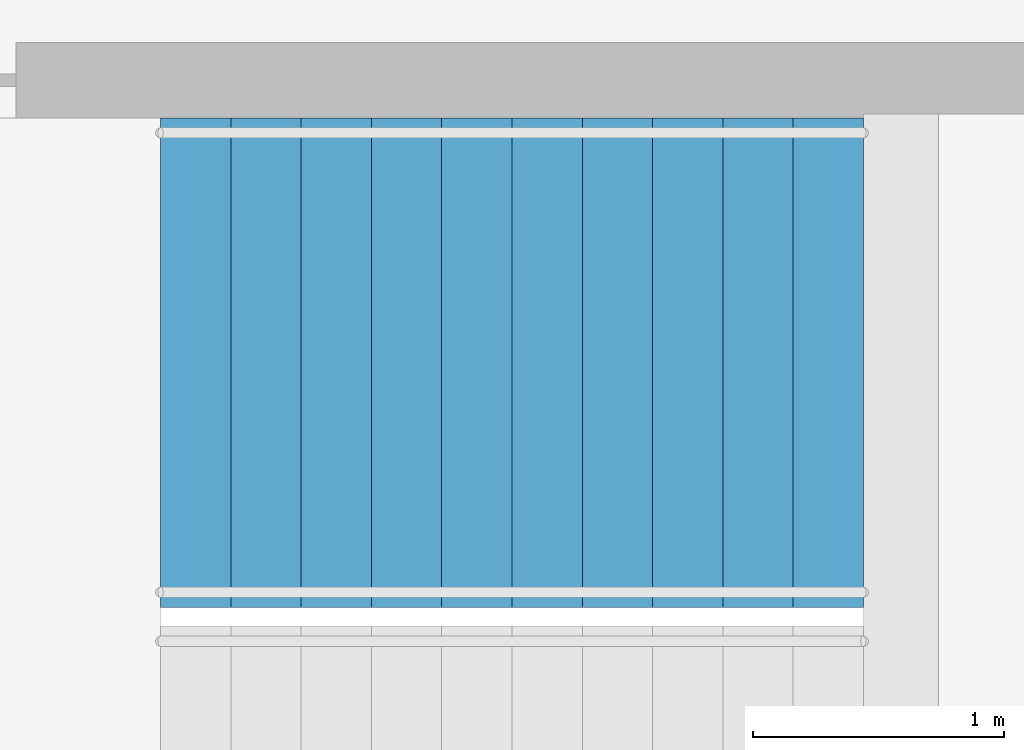
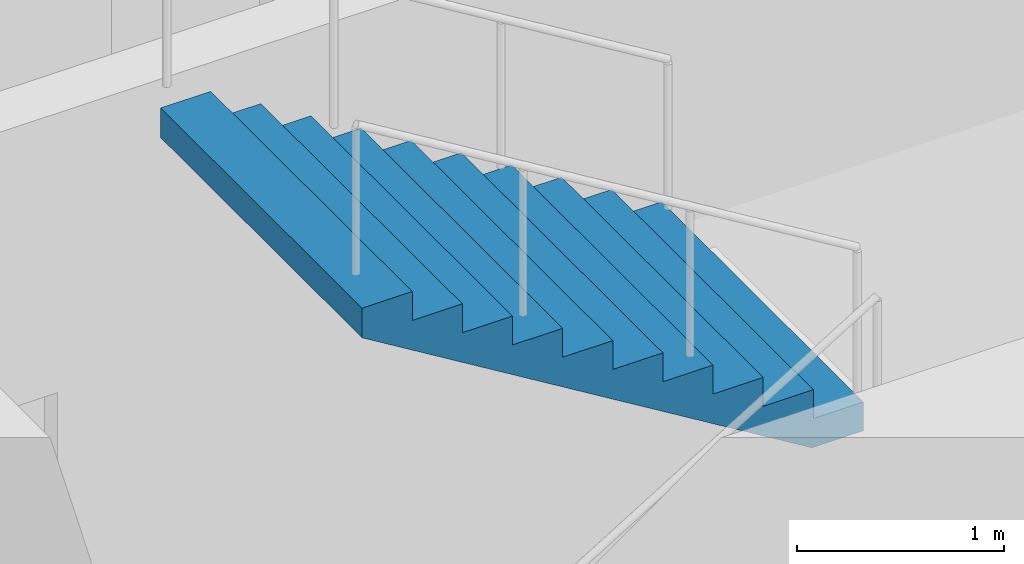
# One storey, part 18 of 21: 1 stair flight, 1 element without a shape of its own.
"""IFC4 building model written with IfcOpenShell, lengths in metres."""

from ifc_helpers import new_model, si_unit, direction, frame, origin, place, context, subcontext, project, spatial, triangles, material, type_object, element, aggregate, save


model = new_model("IFC4")

# Units and contexts
model_context = context("Model", 3, precision=1e-05, world=origin(), true_north=direction((0.0, 1.0)))
body_context = subcontext(model_context, "Body", "Model", "MODEL_VIEW")
ifc_project = project(units=[si_unit("LENGTHUNIT", "METRE"), si_unit("AREAUNIT", "SQUARE_METRE"), si_unit("VOLUMEUNIT", "CUBIC_METRE"), si_unit("PLANEANGLEUNIT", "RADIAN"), si_unit("MASSUNIT", "GRAM", prefix="KILO")], contexts=[model_context])

# Site, building, storey
site_placement = place(None, origin())
site = spatial("IfcSite", under=ifc_project, at=site_placement, CompositionType="ELEMENT")
building_placement = place(site_placement, origin())
building = spatial("IfcBuilding", under=site, at=building_placement, Name="Orbita Commons", CompositionType="ELEMENT")
storey_placement = place(building_placement, frame((0.0, 0.0, 95.64990234375)))
storey = spatial("IfcBuildingStorey", under=building, at=storey_placement, Name="L23", CompositionType="ELEMENT", Elevation=95.64990234375)

# Stair, stair flight
ifc_material_1 = material(Name="Precast concrete C40/50", Category="concrete")
stair_type = type_object("IfcStairType", Name="Exit stair S1 2 flights 11 risers 170", PredefinedType="HALF_TURN_STAIR", material=ifc_material_1)
stair_placement = place(storey_placement, origin())
stair = element("IfcStair", 1, at=stair_placement, inside=storey, type_object=stair_type, Name="Exit stair S1 L23", PredefinedType="HALF_TURN_STAIR")
ifc_material_2 = material(Name="Precast concrete C40/50", Category="concrete")
stair_flight_type = type_object("IfcStairFlightType", Name="Stair flight 11 risers 170 x 280", PredefinedType="STRAIGHT", material=ifc_material_2)
stair_flight_placement = place(storey_placement, frame((23.25, 29.27490234375, 1.875), z_axis=(0.0, 0.0, 1.0), x_axis=(-1.0, 0.0, 0.0)))
stair_flight = element("IfcStairFlight", 2, at=stair_flight_placement, type_object=stair_flight_type, Name="S1 flight 2", NumberOfRisers=11, NumberOfTreads=10, PredefinedType="STRAIGHT", RiserHeight=0.170454545, TreadLength=0.28, context=body_context, shape_type="Tessellation", body=[
    triangles([(0.0, 0.974976, 0.0), (0.0, 0.974976, 0.021307), (0.0, 0.81248, 0.021307), (0.0, 0.81248, 0.0), (0.0, 0.649984, 0.021307), (0.0, 0.649984, 0.0), (0.0, 0.487488, 0.021307), (0.0, 0.487488, 0.0), (0.0, 0.324992, 0.021307), (0.0, 0.324992, 0.0), (0.0, 0.162496, 0.021307), (0.0, 0.162496, 0.0), (0.0, 0.0, 0.021307), (0.0, 0.0, 0.0), (0.0, -0.162496, 0.021307), (0.0, -0.162496, 0.0), (0.0, -0.324992, 0.021307), (0.0, -0.324992, 0.0), (0.0, -0.487488, 0.021307), (0.0, -0.487488, 0.0), (0.0, -0.649984, 0.021307), (0.0, -0.649984, 0.0), (0.0, -0.81248, 0.021307), (0.0, -0.81248, 0.0), (0.0, -0.974976, 0.021307), (0.0, -0.974976, 0.0), (0.0, 0.974976, 0.042614), (0.0, 0.81248, 0.042614), (0.0, 0.649984, 0.042614), (0.0, 0.487488, 0.042614), (0.0, 0.324992, 0.042614), (0.0, 0.162496, 0.042614), (0.0, 0.0, 0.042614), (0.0, -0.162496, 0.042614), (0.0, -0.324992, 0.042614), (0.0, -0.487488, 0.042614), (0.0, -0.649984, 0.042614), (0.0, -0.81248, 0.042614), (0.0, -0.974976, 0.042614), (0.0, 0.974976, 0.06392), (0.0, 0.81248, 0.06392), (0.0, 0.649984, 0.06392), (0.0, 0.487488, 0.06392), (0.0, 0.324992, 0.06392), (0.0, 0.162496, 0.06392), (0.0, 0.0, 0.06392), (0.0, -0.162496, 0.06392), (0.0, -0.324992, 0.06392), (0.0, -0.487488, 0.06392), (0.0, -0.649984, 0.06392), (0.0, -0.81248, 0.06392), (0.0, -0.974976, 0.06392), (0.0, 0.974976, 0.085227), (0.0, 0.81248, 0.085227), (0.0, 0.649984, 0.085227), (0.0, 0.487488, 0.085227), (0.0, 0.324992, 0.085227), (0.0, 0.162496, 0.085227), (0.0, 0.0, 0.085227), (0.0, -0.162496, 0.085227), (0.0, -0.324992, 0.085227), (0.0, -0.487488, 0.085227), (0.0, -0.649984, 0.085227), (0.0, -0.81248, 0.085227), (0.0, -0.974976, 0.085227), (0.0, 0.974976, 0.106534), (0.0, 0.81248, 0.106534), (0.0, 0.649984, 0.106534), (0.0, 0.487488, 0.106534), (0.0, 0.324992, 0.106534), (0.0, 0.162496, 0.106534), (0.0, 0.0, 0.106534), (0.0, -0.162496, 0.106534), (0.0, -0.324992, 0.106534), (0.0, -0.487488, 0.106534), (0.0, -0.649984, 0.106534), (0.0, -0.81248, 0.106534), (0.0, -0.974976, 0.106534), (0.0, 0.974976, 0.127841), (0.0, 0.81248, 0.127841), (0.0, 0.649984, 0.127841), (0.0, 0.487488, 0.127841), (0.0, 0.324992, 0.127841), (0.0, 0.162496, 0.127841), (0.0, 0.0, 0.127841), (0.0, -0.162496, 0.127841), (0.0, -0.324992, 0.127841), (0.0, -0.487488, 0.127841), (0.0, -0.649984, 0.127841), (0.0, -0.81248, 0.127841), (0.0, -0.974976, 0.127841), (0.0, 0.974976, 0.149148), (0.0, 0.81248, 0.149148), (0.0, 0.649984, 0.149148), (0.0, 0.487488, 0.149148), (0.0, 0.324992, 0.149148), (0.0, 0.162496, 0.149148), (0.0, 0.0, 0.149148), (0.0, -0.162496, 0.149148), (0.0, -0.324992, 0.149148), (0.0, -0.487488, 0.149148), (0.0, -0.649984, 0.149148), (0.0, -0.81248, 0.149148), (0.0, -0.974976, 0.149148), (0.0, 0.974976, 0.170455), (0.0, 0.81248, 0.170455), (0.0, 0.649984, 0.170455), (0.0, 0.487488, 0.170455), (0.0, 0.324992, 0.170455), (0.0, 0.162496, 0.170455), (0.0, 0.0, 0.170455), (0.0, -0.162496, 0.170455), (0.0, -0.324992, 0.170455), (0.0, -0.487488, 0.170455), (0.0, -0.649984, 0.170455), (0.0, -0.81248, 0.170455), (0.0, -0.974976, 0.170455), (0.28, 0.974976, 0.170455), (0.28, 0.81248, 0.170455), (0.28, 0.649984, 0.170455), (0.28, 0.487488, 0.170455), (0.28, 0.324992, 0.170455), (0.28, 0.162496, 0.170455), (0.28, 0.0, 0.170455), (0.28, -0.162496, 0.170455), (0.28, -0.324992, 0.170455), (0.28, -0.487488, 0.170455), (0.28, -0.649984, 0.170455), (0.28, -0.81248, 0.170455), (0.28, -0.974976, 0.170455), (0.28, 0.974976, 0.340909), (0.28, 0.81248, 0.340909), (0.28, 0.649984, 0.340909), (0.28, 0.487488, 0.340909), (0.28, 0.324992, 0.340909), (0.28, 0.162496, 0.340909), (0.28, 0.0, 0.340909), (0.28, -0.162496, 0.340909), (0.28, -0.324992, 0.340909), (0.28, -0.487488, 0.340909), (0.28, -0.649984, 0.340909), (0.28, -0.81248, 0.340909), (0.28, -0.974976, 0.340909), (0.56, 0.974976, 0.340909), (0.56, 0.81248, 0.340909), (0.56, 0.649984, 0.340909), (0.56, 0.487488, 0.340909), (0.56, 0.324992, 0.340909), (0.56, 0.162496, 0.340909), (0.56, 0.0, 0.340909), (0.56, -0.162496, 0.340909), (0.56, -0.324992, 0.340909), (0.56, -0.487488, 0.340909), (0.56, -0.649984, 0.340909), (0.56, -0.81248, 0.340909), (0.56, -0.974976, 0.340909), (0.56, 0.974976, 0.511364), (0.56, 0.81248, 0.511364), (0.56, 0.649984, 0.511364), (0.56, 0.487488, 0.511364), (0.56, 0.324992, 0.511364), (0.56, 0.162496, 0.511364), (0.56, 0.0, 0.511364), (0.56, -0.162496, 0.511364), (0.56, -0.324992, 0.511364), (0.56, -0.487488, 0.511364), (0.56, -0.649984, 0.511364), (0.56, -0.81248, 0.511364), (0.56, -0.974976, 0.511364), (0.84, 0.974976, 0.511364), (0.84, 0.81248, 0.511364), (0.84, 0.649984, 0.511364), (0.84, 0.487488, 0.511364), (0.84, 0.324992, 0.511364), (0.84, 0.162496, 0.511364), (0.84, 0.0, 0.511364), (0.84, -0.162496, 0.511364), (0.84, -0.324992, 0.511364), (0.84, -0.487488, 0.511364), (0.84, -0.649984, 0.511364), (0.84, -0.81248, 0.511364), (0.84, -0.974976, 0.511364), (0.84, 0.974976, 0.681818), (0.84, 0.81248, 0.681818), (0.84, 0.649984, 0.681818), (0.84, 0.487488, 0.681818), (0.84, 0.324992, 0.681818), (0.84, 0.162496, 0.681818), (0.84, 0.0, 0.681818), (0.84, -0.162496, 0.681818), (0.84, -0.324992, 0.681818), (0.84, -0.487488, 0.681818), (0.84, -0.649984, 0.681818), (0.84, -0.81248, 0.681818), (0.84, -0.974976, 0.681818), (1.12, 0.974976, 0.681818), (1.12, 0.81248, 0.681818), (1.12, 0.649984, 0.681818), (1.12, 0.487488, 0.681818), (1.12, 0.324992, 0.681818), (1.12, 0.162496, 0.681818), (1.12, 0.0, 0.681818), (1.12, -0.162496, 0.681818), (1.12, -0.324992, 0.681818), (1.12, -0.487488, 0.681818), (1.12, -0.649984, 0.681818), (1.12, -0.81248, 0.681818), (1.12, -0.974976, 0.681818), (1.12, 0.974976, 0.852273), (1.12, 0.81248, 0.852273), (1.12, 0.649984, 0.852273), (1.12, 0.487488, 0.852273), (1.12, 0.324992, 0.852273), (1.12, 0.162496, 0.852273), (1.12, 0.0, 0.852273), (1.12, -0.162496, 0.852273), (1.12, -0.324992, 0.852273), (1.12, -0.487488, 0.852273), (1.12, -0.649984, 0.852273), (1.12, -0.81248, 0.852273), (1.12, -0.974976, 0.852273), (1.4, 0.974976, 0.852273), (1.4, 0.81248, 0.852273), (1.4, 0.649984, 0.852273), (1.4, 0.487488, 0.852273), (1.4, 0.324992, 0.852273), (1.4, 0.162496, 0.852273), (1.4, 0.0, 0.852273), (1.4, -0.162496, 0.852273), (1.4, -0.324992, 0.852273), (1.4, -0.487488, 0.852273), (1.4, -0.649984, 0.852273), (1.4, -0.81248, 0.852273), (1.4, -0.974976, 0.852273), (1.4, 0.974976, 1.022727), (1.4, 0.81248, 1.022727), (1.4, 0.649984, 1.022727), (1.4, 0.487488, 1.022727), (1.4, 0.324992, 1.022727), (1.4, 0.162496, 1.022727), (1.4, 0.0, 1.022727), (1.4, -0.162496, 1.022727), (1.4, -0.324992, 1.022727), (1.4, -0.487488, 1.022727), (1.4, -0.649984, 1.022727), (1.4, -0.81248, 1.022727), (1.4, -0.974976, 1.022727), (1.68, 0.974976, 1.022727), (1.68, 0.81248, 1.022727), (1.68, 0.649984, 1.022727), (1.68, 0.487488, 1.022727), (1.68, 0.324992, 1.022727), (1.68, 0.162496, 1.022727), (1.68, 0.0, 1.022727), (1.68, -0.162496, 1.022727), (1.68, -0.324992, 1.022727), (1.68, -0.487488, 1.022727), (1.68, -0.649984, 1.022727), (1.68, -0.81248, 1.022727), (1.68, -0.974976, 1.022727), (1.68, 0.974976, 1.193182), (1.68, 0.81248, 1.193182), (1.68, 0.649984, 1.193182), (1.68, 0.487488, 1.193182), (1.68, 0.324992, 1.193182), (1.68, 0.162496, 1.193182), (1.68, 0.0, 1.193182), (1.68, -0.162496, 1.193182), (1.68, -0.324992, 1.193182), (1.68, -0.487488, 1.193182), (1.68, -0.649984, 1.193182), (1.68, -0.81248, 1.193182), (1.68, -0.974976, 1.193182), (1.96, 0.974976, 1.193182), (1.96, 0.81248, 1.193182), (1.96, 0.649984, 1.193182), (1.96, 0.487488, 1.193182), (1.96, 0.324992, 1.193182), (1.96, 0.162496, 1.193182), (1.96, 0.0, 1.193182), (1.96, -0.162496, 1.193182), (1.96, -0.324992, 1.193182), (1.96, -0.487488, 1.193182), (1.96, -0.649984, 1.193182), (1.96, -0.81248, 1.193182), (1.96, -0.974976, 1.193182), (1.96, 0.974976, 1.363636), (1.96, 0.81248, 1.363636), (1.96, 0.649984, 1.363636), (1.96, 0.487488, 1.363636), (1.96, 0.324992, 1.363636), (1.96, 0.162496, 1.363636), (1.96, 0.0, 1.363636), (1.96, -0.162496, 1.363636), (1.96, -0.324992, 1.363636), (1.96, -0.487488, 1.363636), (1.96, -0.649984, 1.363636), (1.96, -0.81248, 1.363636), (1.96, -0.974976, 1.363636), (2.24, 0.974976, 1.363636), (2.24, 0.81248, 1.363636), (2.24, 0.649984, 1.363636), (2.24, 0.487488, 1.363636), (2.24, 0.324992, 1.363636), (2.24, 0.162496, 1.363636), (2.24, 0.0, 1.363636), (2.24, -0.162496, 1.363636), (2.24, -0.324992, 1.363636), (2.24, -0.487488, 1.363636), (2.24, -0.649984, 1.363636), (2.24, -0.81248, 1.363636), (2.24, -0.974976, 1.363636), (2.24, 0.974976, 1.534091), (2.24, 0.81248, 1.534091), (2.24, 0.649984, 1.534091), (2.24, 0.487488, 1.534091), (2.24, 0.324992, 1.534091), (2.24, 0.162496, 1.534091), (2.24, 0.0, 1.534091), (2.24, -0.162496, 1.534091), (2.24, -0.324992, 1.534091), (2.24, -0.487488, 1.534091), (2.24, -0.649984, 1.534091), (2.24, -0.81248, 1.534091), (2.24, -0.974976, 1.534091), (2.52, 0.974976, 1.534091), (2.52, 0.81248, 1.534091), (2.52, 0.649984, 1.534091), (2.52, 0.487488, 1.534091), (2.52, 0.324992, 1.534091), (2.52, 0.162496, 1.534091), (2.52, 0.0, 1.534091), (2.52, -0.162496, 1.534091), (2.52, -0.324992, 1.534091), (2.52, -0.487488, 1.534091), (2.52, -0.649984, 1.534091), (2.52, -0.81248, 1.534091), (2.52, -0.974976, 1.534091), (2.52, 0.974976, 1.704545), (2.52, 0.81248, 1.704545), (2.52, 0.649984, 1.704545), (2.52, 0.487488, 1.704545), (2.52, 0.324992, 1.704545), (2.52, 0.162496, 1.704545), (2.52, 0.0, 1.704545), (2.52, -0.162496, 1.704545), (2.52, -0.324992, 1.704545), (2.52, -0.487488, 1.704545), (2.52, -0.649984, 1.704545), (2.52, -0.81248, 1.704545), (2.52, -0.974976, 1.704545), (2.8, 0.974976, 1.704545), (2.8, 0.81248, 1.704545), (2.8, 0.649984, 1.704545), (2.8, 0.487488, 1.704545), (2.8, 0.324992, 1.704545), (2.8, 0.162496, 1.704545), (2.8, 0.0, 1.704545), (2.8, -0.162496, 1.704545), (2.8, -0.324992, 1.704545), (2.8, -0.487488, 1.704545), (2.8, -0.649984, 1.704545), (2.8, -0.81248, 1.704545), (2.8, -0.974976, 1.704545), (2.8, 0.974976, 1.682609), (2.8, 0.81248, 1.682609), (2.8, 0.649984, 1.682609), (2.8, 0.487488, 1.682609), (2.8, 0.324992, 1.682609), (2.8, 0.162496, 1.682609), (2.8, 0.0, 1.682609), (2.8, -0.162496, 1.682609), (2.8, -0.324992, 1.682609), (2.8, -0.487488, 1.682609), (2.8, -0.649984, 1.682609), (2.8, -0.81248, 1.682609), (2.8, -0.974976, 1.682609), (2.8, 0.974976, 1.660672), (2.8, 0.81248, 1.660672), (2.8, 0.649984, 1.660672), (2.8, 0.487488, 1.660672), (2.8, 0.324992, 1.660672), (2.8, 0.162496, 1.660672), (2.8, 0.0, 1.660672), (2.8, -0.162496, 1.660672), (2.8, -0.324992, 1.660672), (2.8, -0.487488, 1.660672), (2.8, -0.649984, 1.660672), (2.8, -0.81248, 1.660672), (2.8, -0.974976, 1.660672), (2.8, 0.974976, 1.638735), (2.8, 0.81248, 1.638735), (2.8, 0.649984, 1.638735), (2.8, 0.487488, 1.638735), (2.8, 0.324992, 1.638735), (2.8, 0.162496, 1.638735), (2.8, 0.0, 1.638735), (2.8, -0.162496, 1.638735), (2.8, -0.324992, 1.638735), (2.8, -0.487488, 1.638735), (2.8, -0.649984, 1.638735), (2.8, -0.81248, 1.638735), (2.8, -0.974976, 1.638735), (2.8, 0.974976, 1.616798), (2.8, 0.81248, 1.616798), (2.8, 0.649984, 1.616798), (2.8, 0.487488, 1.616798), (2.8, 0.324992, 1.616798), (2.8, 0.162496, 1.616798), (2.8, 0.0, 1.616798), (2.8, -0.162496, 1.616798), (2.8, -0.324992, 1.616798), (2.8, -0.487488, 1.616798), (2.8, -0.649984, 1.616798), (2.8, -0.81248, 1.616798), (2.8, -0.974976, 1.616798), (2.8, 0.974976, 1.594861), (2.8, 0.81248, 1.594861), (2.8, 0.649984, 1.594861), (2.8, 0.487488, 1.594861), (2.8, 0.324992, 1.594861), (2.8, 0.162496, 1.594861), (2.8, 0.0, 1.594861), (2.8, -0.162496, 1.594861), (2.8, -0.324992, 1.594861), (2.8, -0.487488, 1.594861), (2.8, -0.649984, 1.594861), (2.8, -0.81248, 1.594861), (2.8, -0.974976, 1.594861), (2.8, 0.974976, 1.572925), (2.8, 0.81248, 1.572925), (2.8, 0.649984, 1.572925), (2.8, 0.487488, 1.572925), (2.8, 0.324992, 1.572925), (2.8, 0.162496, 1.572925), (2.8, 0.0, 1.572925), (2.8, -0.162496, 1.572925), (2.8, -0.324992, 1.572925), (2.8, -0.487488, 1.572925), (2.8, -0.649984, 1.572925), (2.8, -0.81248, 1.572925), (2.8, -0.974976, 1.572925), (2.8, 0.974976, 1.550988), (2.8, 0.81248, 1.550988), (2.8, 0.649984, 1.550988), (2.8, 0.487488, 1.550988), (2.8, 0.324992, 1.550988), (2.8, 0.162496, 1.550988), (2.8, 0.0, 1.550988), (2.8, -0.162496, 1.550988), (2.8, -0.324992, 1.550988), (2.8, -0.487488, 1.550988), (2.8, -0.649984, 1.550988), (2.8, -0.81248, 1.550988), (2.8, -0.974976, 1.550988), (2.8, 0.974976, 1.529051), (2.8, 0.81248, 1.529051), (2.8, 0.649984, 1.529051), (2.8, 0.487488, 1.529051), (2.8, 0.324992, 1.529051), (2.8, 0.162496, 1.529051), (2.8, 0.0, 1.529051), (2.8, -0.162496, 1.529051), (2.8, -0.324992, 1.529051), (2.8, -0.487488, 1.529051), (2.8, -0.649984, 1.529051), (2.8, -0.81248, 1.529051), (2.8, -0.974976, 1.529051), (0.288279, 0.974976, 0.0), (0.288279, 0.81248, 0.0), (0.288279, 0.649984, 0.0), (0.288279, 0.487488, 0.0), (0.288279, 0.324992, 0.0), (0.288279, 0.162496, 0.0), (0.288279, 0.0, 0.0), (0.288279, -0.162496, 0.0), (0.288279, -0.324992, 0.0), (0.288279, -0.487488, 0.0), (0.288279, -0.649984, 0.0), (0.288279, -0.81248, 0.0), (0.288279, -0.974976, 0.0)], [[3, 2, 1], [4, 3, 1], [5, 3, 4], [6, 5, 4], [7, 5, 6], [8, 7, 6], [9, 7, 8], [10, 9, 8], [11, 9, 10], [12, 11, 10], [13, 11, 12], [14, 13, 12], [15, 13, 14], [16, 15, 14], [17, 15, 16], [18, 17, 16], [19, 17, 18], [20, 19, 18], [21, 19, 20], [22, 21, 20], [23, 21, 22], [24, 23, 22], [25, 23, 24], [26, 25, 24], [28, 27, 2], [3, 28, 2], [29, 28, 3], [5, 29, 3], [30, 29, 5], [7, 30, 5], [31, 30, 7], [9, 31, 7], [32, 31, 9], [11, 32, 9], [33, 32, 11], [13, 33, 11], [34, 33, 13], [15, 34, 13], [35, 34, 15], [17, 35, 15], [36, 35, 17], [19, 36, 17], [37, 36, 19], [21, 37, 19], [38, 37, 21], [23, 38, 21], [39, 38, 23], [25, 39, 23], [41, 40, 27], [28, 41, 27], [42, 41, 28], [29, 42, 28], [43, 42, 29], [30, 43, 29], [44, 43, 30], [31, 44, 30], [45, 44, 31], [32, 45, 31], [46, 45, 32], [33, 46, 32], [47, 46, 33], [34, 47, 33], [48, 47, 34], [35, 48, 34], [49, 48, 35], [36, 49, 35], [50, 49, 36], [37, 50, 36], [51, 50, 37], [38, 51, 37], [52, 51, 38], [39, 52, 38], [54, 53, 40], [41, 54, 40], [55, 54, 41], [42, 55, 41], [56, 55, 42], [43, 56, 42], [57, 56, 43], [44, 57, 43], [58, 57, 44], [45, 58, 44], [59, 58, 45], [46, 59, 45], [60, 59, 46], [47, 60, 46], [61, 60, 47], [48, 61, 47], [62, 61, 48], [49, 62, 48], [63, 62, 49], [50, 63, 49], [64, 63, 50], [51, 64, 50], [65, 64, 51], [52, 65, 51], [67, 66, 53], [54, 67, 53], [68, 67, 54], [55, 68, 54], [69, 68, 55], [56, 69, 55], [70, 69, 56], [57, 70, 56], [71, 70, 57], [58, 71, 57], [72, 71, 58], [59, 72, 58], [73, 72, 59], [60, 73, 59], [74, 73, 60], [61, 74, 60], [75, 74, 61], [62, 75, 61], [76, 75, 62], [63, 76, 62], [77, 76, 63], [64, 77, 63], [78, 77, 64], [65, 78, 64], [80, 79, 66], [67, 80, 66], [81, 80, 67], [68, 81, 67], [82, 81, 68], [69, 82, 68], [83, 82, 69], [70, 83, 69], [84, 83, 70], [71, 84, 70], [85, 84, 71], [72, 85, 71], [86, 85, 72], [73, 86, 72], [87, 86, 73], [74, 87, 73], [88, 87, 74], [75, 88, 74], [89, 88, 75], [76, 89, 75], [90, 89, 76], [77, 90, 76], [91, 90, 77], [78, 91, 77], [93, 92, 79], [80, 93, 79], [94, 93, 80], [81, 94, 80], [95, 94, 81], [82, 95, 81], [96, 95, 82], [83, 96, 82], [97, 96, 83], [84, 97, 83], [98, 97, 84], [85, 98, 84], [99, 98, 85], [86, 99, 85], [100, 99, 86], [87, 100, 86], [101, 100, 87], [88, 101, 87], [102, 101, 88], [89, 102, 88], [103, 102, 89], [90, 103, 89], [104, 103, 90], [91, 104, 90], [106, 105, 92], [93, 106, 92], [107, 106, 93], [94, 107, 93], [108, 107, 94], [95, 108, 94], [109, 108, 95], [96, 109, 95], [110, 109, 96], [97, 110, 96], [111, 110, 97], [98, 111, 97], [112, 111, 98], [99, 112, 98], [113, 112, 99], [100, 113, 99], [114, 113, 100], [101, 114, 100], [115, 114, 101], [102, 115, 101], [116, 115, 102], [103, 116, 102], [117, 116, 103], [104, 117, 103], [119, 118, 105], [106, 119, 105], [120, 119, 106], [107, 120, 106], [121, 120, 107], [108, 121, 107], [122, 121, 108], [109, 122, 108], [123, 122, 109], [110, 123, 109], [124, 123, 110], [111, 124, 110], [125, 124, 111], [112, 125, 111], [126, 125, 112], [113, 126, 112], [127, 126, 113], [114, 127, 113], [128, 127, 114], [115, 128, 114], [129, 128, 115], [116, 129, 115], [130, 129, 116], [117, 130, 116], [132, 131, 118], [119, 132, 118], [133, 132, 119], [120, 133, 119], [134, 133, 120], [121, 134, 120], [135, 134, 121], [122, 135, 121], [136, 135, 122], [123, 136, 122], [137, 136, 123], [124, 137, 123], [138, 137, 124], [125, 138, 124], [139, 138, 125], [126, 139, 125], [140, 139, 126], [127, 140, 126], [141, 140, 127], [128, 141, 127], [142, 141, 128], [129, 142, 128], [143, 142, 129], [130, 143, 129], [145, 144, 131], [132, 145, 131], [146, 145, 132], [133, 146, 132], [147, 146, 133], [134, 147, 133], [148, 147, 134], [135, 148, 134], [149, 148, 135], [136, 149, 135], [150, 149, 136], [137, 150, 136], [151, 150, 137], [138, 151, 137], [152, 151, 138], [139, 152, 138], [153, 152, 139], [140, 153, 139], [154, 153, 140], [141, 154, 140], [155, 154, 141], [142, 155, 141], [156, 155, 142], [143, 156, 142], [158, 157, 144], [145, 158, 144], [159, 158, 145], [146, 159, 145], [160, 159, 146], [147, 160, 146], [161, 160, 147], [148, 161, 147], [162, 161, 148], [149, 162, 148], [163, 162, 149], [150, 163, 149], [164, 163, 150], [151, 164, 150], [165, 164, 151], [152, 165, 151], [166, 165, 152], [153, 166, 152], [167, 166, 153], [154, 167, 153], [168, 167, 154], [155, 168, 154], [169, 168, 155], [156, 169, 155], [171, 170, 157], [158, 171, 157], [172, 171, 158], [159, 172, 158], [173, 172, 159], [160, 173, 159], [174, 173, 160], [161, 174, 160], [175, 174, 161], [162, 175, 161], [176, 175, 162], [163, 176, 162], [177, 176, 163], [164, 177, 163], [178, 177, 164], [165, 178, 164], [179, 178, 165], [166, 179, 165], [180, 179, 166], [167, 180, 166], [181, 180, 167], [168, 181, 167], [182, 181, 168], [169, 182, 168], [184, 183, 170], [171, 184, 170], [185, 184, 171], [172, 185, 171], [186, 185, 172], [173, 186, 172], [187, 186, 173], [174, 187, 173], [188, 187, 174], [175, 188, 174], [189, 188, 175], [176, 189, 175], [190, 189, 176], [177, 190, 176], [191, 190, 177], [178, 191, 177], [192, 191, 178], [179, 192, 178], [193, 192, 179], [180, 193, 179], [194, 193, 180], [181, 194, 180], [195, 194, 181], [182, 195, 181], [197, 196, 183], [184, 197, 183], [198, 197, 184], [185, 198, 184], [199, 198, 185], [186, 199, 185], [200, 199, 186], [187, 200, 186], [201, 200, 187], [188, 201, 187], [202, 201, 188], [189, 202, 188], [203, 202, 189], [190, 203, 189], [204, 203, 190], [191, 204, 190], [205, 204, 191], [192, 205, 191], [206, 205, 192], [193, 206, 192], [207, 206, 193], [194, 207, 193], [208, 207, 194], [195, 208, 194], [210, 209, 196], [197, 210, 196], [211, 210, 197], [198, 211, 197], [212, 211, 198], [199, 212, 198], [213, 212, 199], [200, 213, 199], [214, 213, 200], [201, 214, 200], [215, 214, 201], [202, 215, 201], [216, 215, 202], [203, 216, 202], [217, 216, 203], [204, 217, 203], [218, 217, 204], [205, 218, 204], [219, 218, 205], [206, 219, 205], [220, 219, 206], [207, 220, 206], [221, 220, 207], [208, 221, 207], [223, 222, 209], [210, 223, 209], [224, 223, 210], [211, 224, 210], [225, 224, 211], [212, 225, 211], [226, 225, 212], [213, 226, 212], [227, 226, 213], [214, 227, 213], [228, 227, 214], [215, 228, 214], [229, 228, 215], [216, 229, 215], [230, 229, 216], [217, 230, 216], [231, 230, 217], [218, 231, 217], [232, 231, 218], [219, 232, 218], [233, 232, 219], [220, 233, 219], [234, 233, 220], [221, 234, 220], [236, 235, 222], [223, 236, 222], [237, 236, 223], [224, 237, 223], [238, 237, 224], [225, 238, 224], [239, 238, 225], [226, 239, 225], [240, 239, 226], [227, 240, 226], [241, 240, 227], [228, 241, 227], [242, 241, 228], [229, 242, 228], [243, 242, 229], [230, 243, 229], [244, 243, 230], [231, 244, 230], [245, 244, 231], [232, 245, 231], [246, 245, 232], [233, 246, 232], [247, 246, 233], [234, 247, 233], [249, 248, 235], [236, 249, 235], [250, 249, 236], [237, 250, 236], [251, 250, 237], [238, 251, 237], [252, 251, 238], [239, 252, 238], [253, 252, 239], [240, 253, 239], [254, 253, 240], [241, 254, 240], [255, 254, 241], [242, 255, 241], [256, 255, 242], [243, 256, 242], [257, 256, 243], [244, 257, 243], [258, 257, 244], [245, 258, 244], [259, 258, 245], [246, 259, 245], [260, 259, 246], [247, 260, 246], [262, 261, 248], [249, 262, 248], [263, 262, 249], [250, 263, 249], [264, 263, 250], [251, 264, 250], [265, 264, 251], [252, 265, 251], [266, 265, 252], [253, 266, 252], [267, 266, 253], [254, 267, 253], [268, 267, 254], [255, 268, 254], [269, 268, 255], [256, 269, 255], [270, 269, 256], [257, 270, 256], [271, 270, 257], [258, 271, 257], [272, 271, 258], [259, 272, 258], [273, 272, 259], [260, 273, 259], [275, 274, 261], [262, 275, 261], [276, 275, 262], [263, 276, 262], [277, 276, 263], [264, 277, 263], [278, 277, 264], [265, 278, 264], [279, 278, 265], [266, 279, 265], [280, 279, 266], [267, 280, 266], [281, 280, 267], [268, 281, 267], [282, 281, 268], [269, 282, 268], [283, 282, 269], [270, 283, 269], [284, 283, 270], [271, 284, 270], [285, 284, 271], [272, 285, 271], [286, 285, 272], [273, 286, 272], [288, 287, 274], [275, 288, 274], [289, 288, 275], [276, 289, 275], [290, 289, 276], [277, 290, 276], [291, 290, 277], [278, 291, 277], [292, 291, 278], [279, 292, 278], [293, 292, 279], [280, 293, 279], [294, 293, 280], [281, 294, 280], [295, 294, 281], [282, 295, 281], [296, 295, 282], [283, 296, 282], [297, 296, 283], [284, 297, 283], [298, 297, 284], [285, 298, 284], [299, 298, 285], [286, 299, 285], [301, 300, 287], [288, 301, 287], [302, 301, 288], [289, 302, 288], [303, 302, 289], [290, 303, 289], [304, 303, 290], [291, 304, 290], [305, 304, 291], [292, 305, 291], [306, 305, 292], [293, 306, 292], [307, 306, 293], [294, 307, 293], [308, 307, 294], [295, 308, 294], [309, 308, 295], [296, 309, 295], [310, 309, 296], [297, 310, 296], [311, 310, 297], [298, 311, 297], [312, 311, 298], [299, 312, 298], [314, 313, 300], [301, 314, 300], [315, 314, 301], [302, 315, 301], [316, 315, 302], [303, 316, 302], [317, 316, 303], [304, 317, 303], [318, 317, 304], [305, 318, 304], [319, 318, 305], [306, 319, 305], [320, 319, 306], [307, 320, 306], [321, 320, 307], [308, 321, 307], [322, 321, 308], [309, 322, 308], [323, 322, 309], [310, 323, 309], [324, 323, 310], [311, 324, 310], [325, 324, 311], [312, 325, 311], [327, 326, 313], [314, 327, 313], [328, 327, 314], [315, 328, 314], [329, 328, 315], [316, 329, 315], [330, 329, 316], [317, 330, 316], [331, 330, 317], [318, 331, 317], [332, 331, 318], [319, 332, 318], [333, 332, 319], [320, 333, 319], [334, 333, 320], [321, 334, 320], [335, 334, 321], [322, 335, 321], [336, 335, 322], [323, 336, 322], [337, 336, 323], [324, 337, 323], [338, 337, 324], [325, 338, 324], [340, 339, 326], [327, 340, 326], [341, 340, 327], [328, 341, 327], [342, 341, 328], [329, 342, 328], [343, 342, 329], [330, 343, 329], [344, 343, 330], [331, 344, 330], [345, 344, 331], [332, 345, 331], [346, 345, 332], [333, 346, 332], [347, 346, 333], [334, 347, 333], [348, 347, 334], [335, 348, 334], [349, 348, 335], [336, 349, 335], [350, 349, 336], [337, 350, 336], [351, 350, 337], [338, 351, 337], [353, 352, 339], [340, 353, 339], [354, 353, 340], [341, 354, 340], [355, 354, 341], [342, 355, 341], [356, 355, 342], [343, 356, 342], [357, 356, 343], [344, 357, 343], [358, 357, 344], [345, 358, 344], [359, 358, 345], [346, 359, 345], [360, 359, 346], [347, 360, 346], [361, 360, 347], [348, 361, 347], [362, 361, 348], [349, 362, 348], [363, 362, 349], [350, 363, 349], [364, 363, 350], [351, 364, 350], [366, 365, 352], [353, 366, 352], [367, 366, 353], [354, 367, 353], [368, 367, 354], [355, 368, 354], [369, 368, 355], [356, 369, 355], [370, 369, 356], [357, 370, 356], [371, 370, 357], [358, 371, 357], [372, 371, 358], [359, 372, 358], [373, 372, 359], [360, 373, 359], [374, 373, 360], [361, 374, 360], [375, 374, 361], [362, 375, 361], [376, 375, 362], [363, 376, 362], [377, 376, 363], [364, 377, 363], [379, 378, 365], [366, 379, 365], [380, 379, 366], [367, 380, 366], [381, 380, 367], [368, 381, 367], [382, 381, 368], [369, 382, 368], [383, 382, 369], [370, 383, 369], [384, 383, 370], [371, 384, 370], [385, 384, 371], [372, 385, 371], [386, 385, 372], [373, 386, 372], [387, 386, 373], [374, 387, 373], [388, 387, 374], [375, 388, 374], [389, 388, 375], [376, 389, 375], [390, 389, 376], [377, 390, 376], [392, 391, 378], [379, 392, 378], [393, 392, 379], [380, 393, 379], [394, 393, 380], [381, 394, 380], [395, 394, 381], [382, 395, 381], [396, 395, 382], [383, 396, 382], [397, 396, 383], [384, 397, 383], [398, 397, 384], [385, 398, 384], [399, 398, 385], [386, 399, 385], [400, 399, 386], [387, 400, 386], [401, 400, 387], [388, 401, 387], [402, 401, 388], [389, 402, 388], [403, 402, 389], [390, 403, 389], [405, 404, 391], [392, 405, 391], [406, 405, 392], [393, 406, 392], [407, 406, 393], [394, 407, 393], [408, 407, 394], [395, 408, 394], [409, 408, 395], [396, 409, 395], [410, 409, 396], [397, 410, 396], [411, 410, 397], [398, 411, 397], [412, 411, 398], [399, 412, 398], [413, 412, 399], [400, 413, 399], [414, 413, 400], [401, 414, 400], [415, 414, 401], [402, 415, 401], [416, 415, 402], [403, 416, 402], [418, 417, 404], [405, 418, 404], [419, 418, 405], [406, 419, 405], [420, 419, 406], [407, 420, 406], [421, 420, 407], [408, 421, 407], [422, 421, 408], [409, 422, 408], [423, 422, 409], [410, 423, 409], [424, 423, 410], [411, 424, 410], [425, 424, 411], [412, 425, 411], [426, 425, 412], [413, 426, 412], [427, 426, 413], [414, 427, 413], [428, 427, 414], [415, 428, 414], [429, 428, 415], [416, 429, 415], [431, 430, 417], [418, 431, 417], [432, 431, 418], [419, 432, 418], [433, 432, 419], [420, 433, 419], [434, 433, 420], [421, 434, 420], [435, 434, 421], [422, 435, 421], [436, 435, 422], [423, 436, 422], [437, 436, 423], [424, 437, 423], [438, 437, 424], [425, 438, 424], [439, 438, 425], [426, 439, 425], [440, 439, 426], [427, 440, 426], [441, 440, 427], [428, 441, 427], [442, 441, 428], [429, 442, 428], [444, 443, 430], [431, 444, 430], [445, 444, 431], [432, 445, 431], [446, 445, 432], [433, 446, 432], [447, 446, 433], [434, 447, 433], [448, 447, 434], [435, 448, 434], [449, 448, 435], [436, 449, 435], [450, 449, 436], [437, 450, 436], [451, 450, 437], [438, 451, 437], [452, 451, 438], [439, 452, 438], [453, 452, 439], [440, 453, 439], [454, 453, 440], [441, 454, 440], [455, 454, 441], [442, 455, 441], [457, 456, 443], [444, 457, 443], [458, 457, 444], [445, 458, 444], [459, 458, 445], [446, 459, 445], [460, 459, 446], [447, 460, 446], [461, 460, 447], [448, 461, 447], [462, 461, 448], [449, 462, 448], [463, 462, 449], [450, 463, 449], [464, 463, 450], [451, 464, 450], [465, 464, 451], [452, 465, 451], [466, 465, 452], [453, 466, 452], [467, 466, 453], [454, 467, 453], [468, 467, 454], [455, 468, 454], [470, 469, 456], [457, 470, 456], [471, 470, 457], [458, 471, 457], [472, 471, 458], [459, 472, 458], [473, 472, 459], [460, 473, 459], [474, 473, 460], [461, 474, 460], [475, 474, 461], [462, 475, 461], [476, 475, 462], [463, 476, 462], [477, 476, 463], [464, 477, 463], [478, 477, 464], [465, 478, 464], [479, 478, 465], [466, 479, 465], [480, 479, 466], [467, 480, 466], [481, 480, 467], [468, 481, 467], [4, 1, 469], [470, 4, 469], [6, 4, 470], [471, 6, 470], [8, 6, 471], [472, 8, 471], [10, 8, 472], [473, 10, 472], [12, 10, 473], [474, 12, 473], [14, 12, 474], [475, 14, 474], [16, 14, 475], [476, 16, 475], [18, 16, 476], [477, 18, 476], [20, 18, 477], [478, 20, 477], [22, 20, 478], [479, 22, 478], [24, 22, 479], [480, 24, 479], [26, 24, 480], [481, 26, 480], [456, 469, 1], [26, 481, 468], [443, 456, 1], [26, 468, 455], [430, 443, 1], [26, 455, 442], [417, 430, 1], [26, 442, 429], [404, 417, 1], [26, 429, 416], [391, 404, 1], [26, 416, 403], [378, 391, 1], [26, 403, 390], [365, 378, 1], [26, 390, 377], [339, 352, 365], [377, 364, 351], [326, 339, 365], [377, 351, 338], [300, 313, 326], [338, 325, 312], [300, 326, 365], [377, 338, 312], [274, 287, 300], [312, 299, 286], [274, 300, 365], [377, 312, 286], [248, 261, 274], [286, 273, 260], [248, 274, 365], [377, 286, 260], [222, 235, 248], [260, 247, 234], [222, 248, 365], [377, 260, 234], [196, 209, 222], [234, 221, 208], [196, 222, 365], [377, 234, 208], [170, 183, 196], [208, 195, 182], [170, 196, 365], [377, 208, 182], [144, 157, 170], [182, 169, 156], [144, 170, 365], [377, 182, 156], [118, 131, 144], [156, 143, 130], [118, 144, 365], [377, 156, 130], [118, 365, 1], [26, 377, 130], [92, 105, 118], [130, 117, 104], [79, 92, 118], [130, 104, 91], [66, 79, 118], [130, 91, 78], [53, 66, 118], [130, 78, 65], [40, 53, 118], [130, 65, 52], [27, 40, 118], [130, 52, 39], [2, 27, 118], [130, 39, 25], [1, 2, 118], [130, 25, 26]], closed=True),
])
aggregate(stair, [stair_flight])

save(model, "model.ifc")
